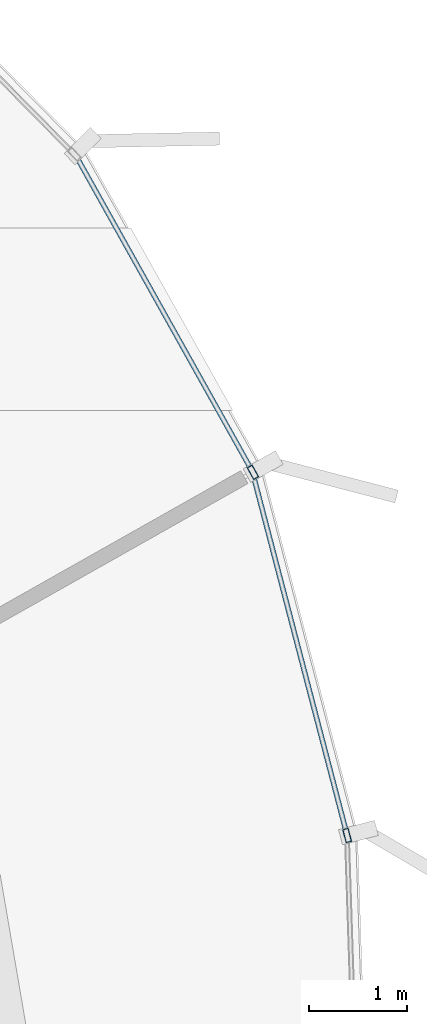
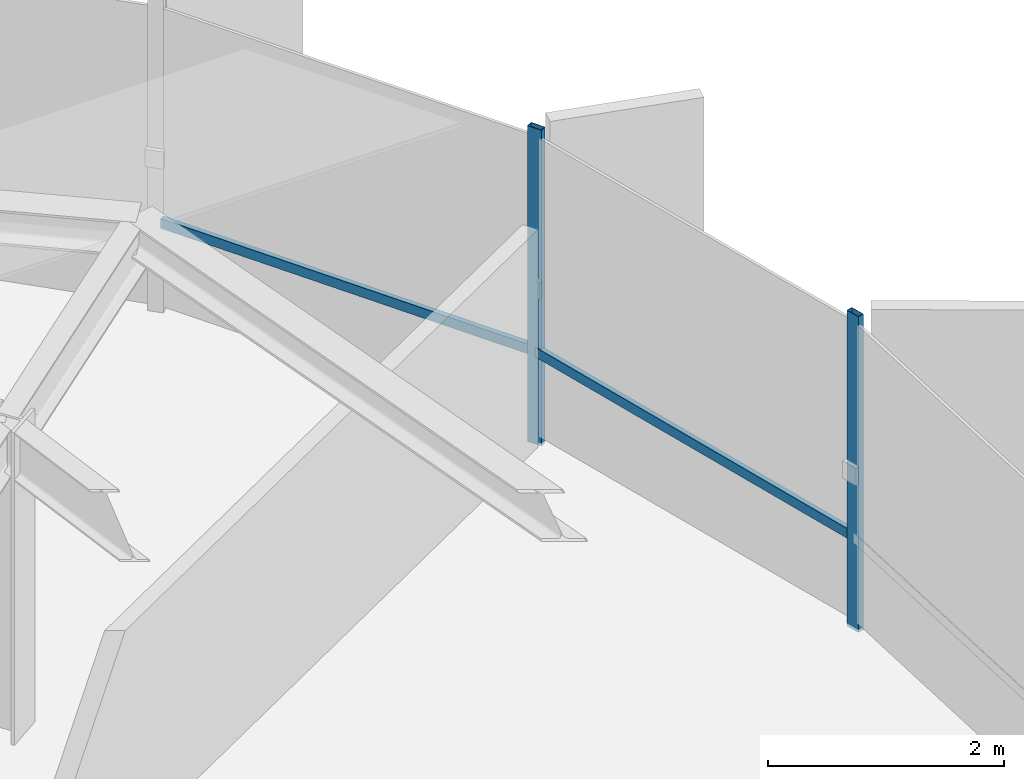
# One storey, part 27 of 34: 4 members, 1 element without a shape of its own.
"""IFC4 building model written with IfcOpenShell, lengths in metres."""

from ifc_helpers import new_model, si_unit, direction, frame, origin, origin_2d, place, context, subcontext, project, spatial, hollow_rectangle, extrude, source, transform, mapped, material, layer, layer_set, material_profile, profile_set, type_object, element, aggregate, save


model = new_model("IFC4")

# Units and contexts
model_context = context("Model", 3, precision=1e-05, world=origin(), true_north=direction((0.0, 1.0)))
body_context = subcontext(model_context, "Body", "Model", "MODEL_VIEW")
ifc_project = project(units=[si_unit("LENGTHUNIT", "METRE"), si_unit("AREAUNIT", "SQUARE_METRE"), si_unit("VOLUMEUNIT", "CUBIC_METRE"), si_unit("PLANEANGLEUNIT", "RADIAN"), si_unit("MASSUNIT", "GRAM", prefix="KILO"), si_unit("THERMODYNAMICTEMPERATUREUNIT", "KELVIN")], contexts=[model_context])

# Site, building, storey
site_placement = place(None, origin())
site = spatial("IfcSite", under=ifc_project, at=site_placement, CompositionType="ELEMENT")
building_placement = place(site_placement, origin())
building = spatial("IfcBuilding", under=site, at=building_placement, Name="Kethvar Cultural Tower", CompositionType="ELEMENT")
storey_placement = place(building_placement, frame((0.0, 0.0, 183.39990234375)))
storey = spatial("IfcBuildingStorey", under=building, at=storey_placement, Name="L47", CompositionType="ELEMENT", Elevation=183.39990234375)

# Curtain wall, members
ifc_material = material(Name="Aluminium 6063-T6", Category="aluminium")
ifc_layer = layer(ifc_material, 0.179931640625, Name="Aluminium 6063-T6", Category="aluminium")
ifc_layer_set = layer_set([ifc_layer], Name="Aluminium 6063-T6 (180 mm)")
curtain_wall_type = type_object("IfcCurtainWallType", Name="CW-SYS-04-Z34", PredefinedType="NOTDEFINED", material=ifc_layer_set)
curtain_wall_placement = place(storey_placement, origin())
curtain_wall = element("IfcCurtainWall", 1, at=curtain_wall_placement, inside=storey, type_object=curtain_wall_type, Name="L47 Curtain Wall Run 06", PredefinedType="NOTDEFINED")
ifc_material_profile_1 = material_profile(ifc_material, hollow_rectangle(XDim=0.06005859375, YDim=0.139892578125, WallThickness=0.0048828125, at=origin_2d()), Name="Aluminium 6063-T6 — RHS140x60x5")
ifc_profile_set_1 = profile_set([ifc_material_profile_1], Name="Aluminium 6063-T6 — RHS140x60x5")
member_type_1 = type_object("IfcMemberType", Name="CW-SYS-04-Z34-MUL", PredefinedType="MULLION", material=ifc_profile_set_1)
shared_shape_1 = source(origin(), body_context, "Body", "SweptSolid", [
    extrude(hollow_rectangle(XDim=0.06005859375, YDim=0.139892578125, WallThickness=0.0048828125, at=origin_2d()), origin(), (0.0, 0.0, 1.0), 3.260009765625),
])
member_1_placement = place(storey_placement, frame((72.481201171875, 38.034912109375, 0.0), z_axis=(0.0, 0.0, 1.0), x_axis=(-0.967695970835, -0.252120027031, 0.0)))
member_1 = element("IfcMember", 2, at=member_1_placement, type_object=member_type_1, Name="CW-L47-R06 Mullion 5", PredefinedType="MULLION", context=body_context, shape_type="MappedRepresentation", body=[
    mapped(shared_shape_1, transform((0.0, 0.0, 0.0), scale=1.0)),
])
member_2_placement = place(storey_placement, frame((71.515625, 41.755615234375, 0.0), z_axis=(0.0, 0.0, 1.0), x_axis=(-0.87291356238, -0.487874894429, 0.0)))
member_2 = element("IfcMember", 3, at=member_2_placement, type_object=member_type_1, Name="CW-L47-R06 Mullion 6", PredefinedType="MULLION", context=body_context, shape_type="MappedRepresentation", body=[
    mapped(shared_shape_1, transform((0.0, 0.0, 0.0), scale=1.0)),
])
ifc_material_profile_2 = material_profile(ifc_material, hollow_rectangle(XDim=0.050048828125, YDim=0.10009765625, WallThickness=0.00390625, at=origin_2d()), Name="Aluminium 6063-T6 — RHS100x50x4")
ifc_profile_set_2 = profile_set([ifc_material_profile_2], Name="Aluminium 6063-T6 — RHS100x50x4")
member_type_2 = type_object("IfcMemberType", Name="CW-SYS-04-Z34-TRN", PredefinedType="USERDEFINED", material=ifc_profile_set_2)
shared_shape_2 = source(origin(), body_context, "Body", "SweptSolid", [
    extrude(hollow_rectangle(XDim=0.050048828125, YDim=0.10009765625, WallThickness=0.00390625, at=origin_2d()), origin(), (0.0, 0.0, 1.0), 3.6416015625),
])
member_3_placement = place(storey_placement, frame((71.494384765625, 41.793212890625, 0.9501953125), z_axis=(-0.487798818606, 0.872956077112, 0.0), x_axis=(-0.872956077112, -0.487798818606, 0.0)))
member_3 = element("IfcMember", 4, at=member_3_placement, type_object=member_type_2, Name="CW-L47-R06 Transom 6", ObjectType="TRANSOM", PredefinedType="USERDEFINED", context=body_context, shape_type="MappedRepresentation", body=[
    mapped(shared_shape_2, transform((0.0, 0.0, 0.0), scale=1.0)),
])
shared_shape_3 = source(origin(), body_context, "Body", "SweptSolid", [
    extrude(hollow_rectangle(XDim=0.050048828125, YDim=0.10009765625, WallThickness=0.00390625, at=origin_2d()), origin(), (0.0, 0.0, 1.0), 3.78515625),
])
member_4_placement = place(storey_placement, frame((72.470458984375, 38.076904296875, 0.9501953125), z_axis=(-0.252130437097, 0.967693258574, 0.0), x_axis=(-0.967693258574, -0.252130437097, 0.0)))
member_4 = element("IfcMember", 5, at=member_4_placement, type_object=member_type_2, Name="CW-L47-R06 Transom 5", ObjectType="TRANSOM", PredefinedType="USERDEFINED", context=body_context, shape_type="MappedRepresentation", body=[
    mapped(shared_shape_3, transform((0.0, 0.0, 0.0), scale=1.0)),
])
aggregate(curtain_wall, [member_1, member_2, member_4, member_3])

save(model, "model.ifc")
